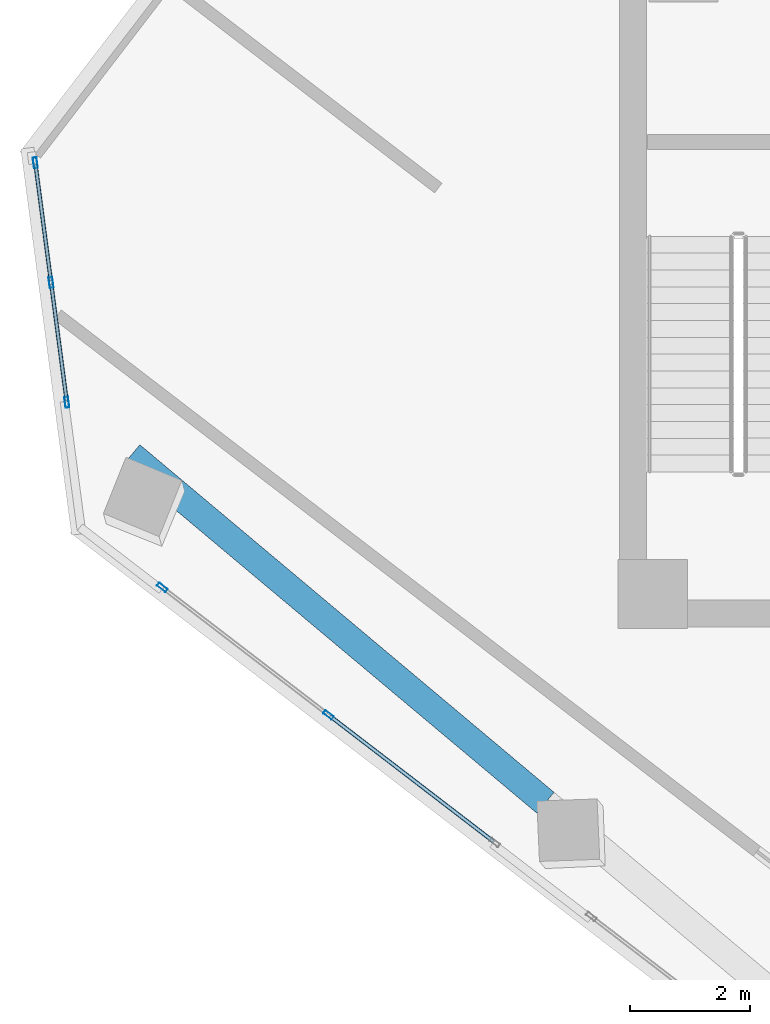
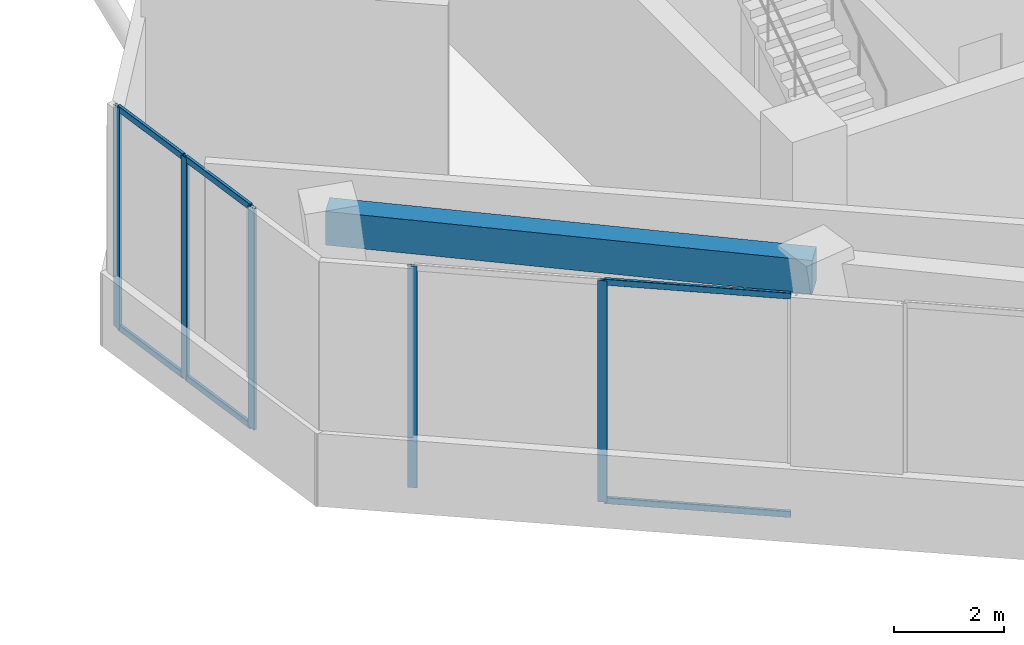
# One storey, part 5 of 22: 11 members, 1 beam, 2 elements without a shape of their own.
"""IFC4 building model written with IfcOpenShell, lengths in metres."""

import ifcopenshell
import ifcopenshell.guid

model = None  # the IFC model being written
_history = None  # IfcOwnerHistory: only IFC2X3 demands one
_inside = {}  # id of a spatial element -> (the spatial element, [elements in it])
_under = {}  # id of a project, library or spatial element -> (it, [spatial elements below it])
_declared = {}  # id of a project -> (the project, [libraries it declares])
_typed = {}  # id of a type object -> (the type object, [elements of that type])
_made_of = {}  # id of a material, layer set ... -> (it, [elements and type objects made of it])


def new_model(schema):
    """Start an empty IFC model of exactly this schema.

    Asked for "IFC4X3", IfcOpenShell would pick the latest addendum, in which some entities
    have other attributes; the version numbers below select the first issue.
    IFC2X3 requires an IfcOwnerHistory on every rooted entity: one is made here for all.
    """
    global model, _history
    if schema == "IFC4X3":
        model = ifcopenshell.file(schema_version=(4, 3, 0, 0))
    else:
        model = ifcopenshell.file(schema=schema)
    _inside.clear()
    _under.clear()
    _declared.clear()
    _typed.clear()
    _made_of.clear()
    _history = None
    if model.schema == "IFC2X3":
        org = make("IfcOrganization", Name="unknown")
        user = make(
            "IfcPersonAndOrganization",
            ThePerson=make("IfcPerson", FamilyName="unknown"),
            TheOrganization=org,
        )
        app = make(
            "IfcApplication",
            ApplicationDeveloper=org,
            Version="unknown",
            ApplicationFullName="unknown",
            ApplicationIdentifier="unknown",
        )
        _history = make(
            "IfcOwnerHistory",
            OwningUser=user,
            OwningApplication=app,
            ChangeAction="ADDED",
            CreationDate=0,
        )
    return model


def make(cls, **values):
    """One entity of the class cls with the attributes given. An attribute that is None is left unset."""
    return model.create_entity(
        cls, **{name: value for name, value in values.items() if value is not None}
    )


def rooted(cls, **values):
    """An entity with a GlobalId (a new one), such as an element, a storey or a relation."""
    return make(cls, GlobalId=ifcopenshell.guid.new(), OwnerHistory=_history, **values)


def si_unit(unit_type, name, prefix=None):
    """IfcSIUnit, for example si_unit("LENGTHUNIT", "METRE", prefix="MILLI")."""
    return make("IfcSIUnit", UnitType=unit_type, Prefix=prefix, Name=name)


def assignment(units):
    """IfcUnitAssignment: the units of a project."""
    return None if units is None else make("IfcUnitAssignment", Units=units)


def point(xyz):
    """IfcCartesianPoint."""
    return None if xyz is None else make("IfcCartesianPoint", Coordinates=xyz)


def direction(xyz):
    """IfcDirection."""
    return None if xyz is None else make("IfcDirection", DirectionRatios=xyz)


def frame(location, z_axis=None, x_axis=None):
    """IfcAxis2Placement3D, a coordinate frame: its origin and axes. An axis left out is left unset."""
    return make(
        "IfcAxis2Placement3D",
        Location=point(location),
        Axis=direction(z_axis),
        RefDirection=direction(x_axis),
    )


def frame_2d(location, x_axis=None):
    """IfcAxis2Placement2D, a coordinate frame in the plane: its origin and x axis."""
    return make(
        "IfcAxis2Placement2D", Location=point(location), RefDirection=direction(x_axis)
    )


def origin():
    """The frame at (0, 0, 0) with its axes left unset."""
    return frame((0.0, 0.0, 0.0))


def origin_2d():
    """The frame at (0, 0) in the plane with its x axis left unset."""
    return frame_2d((0.0, 0.0))


def place(relative_to, where):
    """IfcLocalPlacement: puts the frame where relative to a parent placement (None: the world)."""
    return make(
        "IfcLocalPlacement", PlacementRelTo=relative_to, RelativePlacement=where
    )


def context(
    kind, dimensions, precision=None, world=None, true_north=None, identifier=None
):
    """IfcGeometricRepresentationContext, for example the 3D "Model" context."""
    return make(
        "IfcGeometricRepresentationContext",
        ContextIdentifier=identifier,
        ContextType=kind,
        CoordinateSpaceDimension=dimensions,
        Precision=precision,
        WorldCoordinateSystem=world,
        TrueNorth=true_north,
    )


def subcontext(parent, identifier, kind, view, scale=None):
    """IfcGeometricRepresentationSubContext, for example "Body" below "Model"."""
    return make(
        "IfcGeometricRepresentationSubContext",
        ContextIdentifier=identifier,
        ContextType=kind,
        ParentContext=parent,
        TargetScale=scale,
        TargetView=view,
    )


def project(units=None, contexts=None):
    """IfcProject with its units and contexts."""
    return rooted(
        "IfcProject",
        Name="project",
        RepresentationContexts=contexts,
        UnitsInContext=assignment(units),
    )


def spatial(cls, under=None, at=None, **own):
    """A site, building, storey or space (cls), placed at a placement, below another one or the project."""
    s = rooted(cls, ObjectPlacement=at, **own)
    if under is not None:
        _under.setdefault(under.id(), (under, []))[1].append(s)
    return s


def profile(cls, at=None, kind="AREA", **sizes):
    """A parametric profile (cls). Its sizes go by their IFC names, for example OverallWidth=200.0."""
    return make(cls, ProfileType=kind, Position=at, **sizes)


def rectangle(**sizes):
    """IfcRectangleProfileDef."""
    return profile("IfcRectangleProfileDef", **sizes)


def hollow_rectangle(**sizes):
    """IfcRectangleHollowProfileDef."""
    return profile("IfcRectangleHollowProfileDef", **sizes)


def extrude(swept, where, along, depth):
    """IfcExtrudedAreaSolid: the profile swept, set in the frame where, extruded along a direction by depth."""
    return make(
        "IfcExtrudedAreaSolid",
        SweptArea=swept,
        Position=where,
        ExtrudedDirection=direction(along),
        Depth=depth,
    )


def shape(context_of_items, identifier, shape_type, items):
    """IfcShapeRepresentation: the items that make up one representation, for example the "Body"."""
    return make(
        "IfcShapeRepresentation",
        ContextOfItems=context_of_items,
        RepresentationIdentifier=identifier,
        RepresentationType=shape_type,
        Items=items,
    )


def source(mapping_origin, context_of_items, identifier, shape_type, items):
    """IfcRepresentationMap: a shape defined once, which mapped items show again and again."""
    return make(
        "IfcRepresentationMap",
        MappingOrigin=mapping_origin,
        MappedRepresentation=shape(context_of_items, identifier, shape_type, items),
    )


def transform(
    local_origin,
    x_axis=None,
    y_axis=None,
    z_axis=None,
    scale=None,
    scale2=None,
    scale3=None,
    uniform=True,
):
    """IfcCartesianTransformationOperator3D, or its non-uniform kind. x_axis, y_axis, z_axis: its Axis1, 2, 3."""
    if uniform:
        return make(
            "IfcCartesianTransformationOperator3D",
            Axis1=direction(x_axis),
            Axis2=direction(y_axis),
            LocalOrigin=point(local_origin),
            Scale=scale,
            Axis3=direction(z_axis),
        )
    return make(
        "IfcCartesianTransformationOperator3DnonUniform",
        Axis1=direction(x_axis),
        Axis2=direction(y_axis),
        LocalOrigin=point(local_origin),
        Scale=scale,
        Axis3=direction(z_axis),
        Scale2=scale2,
        Scale3=scale3,
    )


def mapped(mapping_source, mapping_target):
    """IfcMappedItem: shows the shape of a source again, moved by a transform."""
    return make(
        "IfcMappedItem", MappingSource=mapping_source, MappingTarget=mapping_target
    )


def material(Name=None, Category=None):
    """IfcMaterial."""
    return make("IfcMaterial", Name=Name, Category=Category)


def material_profile(
    of_material, cross_section, Name=None, Category=None, Priority=None
):
    """IfcMaterialProfile: a cross section and its material."""
    return make(
        "IfcMaterialProfile",
        Name=Name,
        Material=of_material,
        Profile=cross_section,
        Priority=Priority,
        Category=Category,
    )


def profile_set(profiles, Name=None, composite=None):
    """IfcMaterialProfileSet."""
    return make(
        "IfcMaterialProfileSet",
        Name=Name,
        MaterialProfiles=profiles,
        CompositeProfile=composite,
    )


def made_of(thing, what):
    """Note that an element or type object is made of a material, layer set ...; save() writes the relation."""
    if what is not None:
        _made_of.setdefault(what.id(), (what, []))[1].append(thing)
    return thing


def type_object(cls, material=None, **own):
    """A type object (cls), such as IfcWallType, which elements share."""
    return made_of(rooted(cls, **own), material)


def element(
    cls,
    number,
    at=None,
    inside=None,
    cuts=None,
    type_object=None,
    material=None,
    context=None,
    identifier="Body",
    shape_type=None,
    held_by="IfcProductDefinitionShape",
    body=None,
    shapes=None,
    **own,
):
    """One element of the class cls, such as IfcWall. Its Tag is "e" and its number.

    at: its placement. inside: the storey or other place that contains it. cuts: it is an
    opening in that element (IfcRelVoidsElement). A single representation is given by context,
    identifier, shape_type and body (its items); several are given by shapes. held_by: the class
    of the entity that holds the representations. save() writes the other relations.
    """
    e = rooted(cls, Tag="e%d" % number, ObjectPlacement=at, **own)
    if body is not None:
        shapes = [shape(context, identifier, shape_type, body)]
    if shapes is not None:
        e.Representation = make(held_by, Representations=shapes)
    if inside is not None:
        _inside.setdefault(inside.id(), (inside, []))[1].append(e)
    if cuts is not None:
        rooted(
            "IfcRelVoidsElement", RelatingBuildingElement=cuts, RelatedOpeningElement=e
        )
    if type_object is not None:
        _typed.setdefault(type_object.id(), (type_object, []))[1].append(e)
    return made_of(e, material)


def aggregate(whole, parts):
    """IfcRelAggregates: a whole, such as a stair, and the parts it consists of."""
    return rooted("IfcRelAggregates", RelatingObject=whole, RelatedObjects=parts)


def save(model, path):
    """Write the relations noted so far, then the file.

    IfcRelAggregates (storeys below a building ...), IfcRelContainedInSpatialStructure (elements
    in a storey), IfcRelDefinesByType, IfcRelAssociatesMaterial and IfcRelDeclares: one each for
    every whole, place, type object, material and project.
    """
    for whole, parts in _under.values():
        aggregate(whole, parts)
    for where, things in _inside.values():
        rooted(
            "IfcRelContainedInSpatialStructure",
            RelatedElements=things,
            RelatingStructure=where,
        )
    for kind, things in _typed.values():
        rooted("IfcRelDefinesByType", RelatedObjects=things, RelatingType=kind)
    for what, things in _made_of.values():
        rooted("IfcRelAssociatesMaterial", RelatedObjects=things, RelatingMaterial=what)
    for by, libraries in _declared.values():
        rooted("IfcRelDeclares", RelatingContext=by, RelatedDefinitions=libraries)
    model.write(path)


model = new_model("IFC4")

# Units and contexts
model_context = context("Model", 3, precision=1e-05, world=origin(), true_north=direction((0.0, 1.0)))
body_context = subcontext(model_context, "Body", "Model", "MODEL_VIEW")
ifc_project = project(units=[si_unit("LENGTHUNIT", "METRE"), si_unit("AREAUNIT", "SQUARE_METRE"), si_unit("VOLUMEUNIT", "CUBIC_METRE"), si_unit("PLANEANGLEUNIT", "RADIAN"), si_unit("MASSUNIT", "GRAM", prefix="KILO")], contexts=[model_context])

# Site, building, storey
site_placement = place(None, origin())
site = spatial("IfcSite", under=ifc_project, at=site_placement, CompositionType="ELEMENT")
building_placement = place(site_placement, origin())
building = spatial("IfcBuilding", under=site, at=building_placement, Name="Torre Montelarca", CompositionType="ELEMENT")
storey_placement = place(building_placement, frame((0.0, 0.0, 209.800048828125)))
storey = spatial("IfcBuildingStorey", under=building, at=storey_placement, Name="L47", CompositionType="ELEMENT", Elevation=209.800048828125)

# Beam
ifc_material_1 = material(Name="Concrete C55/67", Category="concrete")
ifc_material_profile_1 = material_profile(ifc_material_1, rectangle(XDim=0.449951171875, YDim=0.75, at=origin_2d()), Name="RCB450X750", Category="concrete")
ifc_profile_set_1 = profile_set([ifc_material_profile_1], Name="Concrete C55/67")
beam_type = type_object("IfcBeamType", Name="BM-SP-RC750-EXT", PredefinedType="SPANDREL", material=ifc_profile_set_1)
shared_shape_1 = source(origin(), body_context, "Body", "SweptSolid", [
    extrude(rectangle(XDim=0.449951171875, YDim=0.75, at=origin_2d()), origin(), (0.0, 0.0, 1.0), 9.000244140625),
])
beam_placement = place(storey_placement, frame((0.868408203125, 26.85888671875, 4.744873046875), z_axis=(0.766046761698, -0.642784846501, 0.0), x_axis=(0.642784846501, 0.766046761698, 0.0)))
element("IfcBeam", 1, at=beam_placement, inside=storey, type_object=beam_type, Name="L47 Grid Girder X 9.0-18.0 at Y=14.8", PredefinedType="SPANDREL", context=body_context, shape_type="MappedRepresentation", body=[
    mapped(shared_shape_1, transform((0.0, 0.0, 0.0), scale=1.0)),
])

# Curtain wall, members
ifc_material_2 = material(Name="Insulated low-E laminated glass", Category="glass")
curtain_wall_type = type_object("IfcCurtainWallType", Name="CW-SYS-Z2", PredefinedType="USERDEFINED", material=ifc_material_2)
curtain_wall_1_placement = place(storey_placement, origin())
curtain_wall_1 = element("IfcCurtainWall", 2, at=curtain_wall_1_placement, inside=storey, type_object=curtain_wall_type, Name="L47 Curtain Wall Run CW-T3-L47-E01-B1", ObjectType="UNITISED GLAZING", PredefinedType="USERDEFINED")
ifc_material_3 = material(Name="Anodised aluminium AA 6063-T6", Category="aluminium")
ifc_material_profile_2 = material_profile(ifc_material_3, hollow_rectangle(XDim=0.06494140625, YDim=0.179931640625, WallThickness=0.00390625, InnerFilletRadius=0.00390625, OuterFilletRadius=0.008056640625, at=origin_2d()), Name="ALU65X180X4", Category="aluminium")
ifc_profile_set_2 = profile_set([ifc_material_profile_2], Name="Anodised aluminium AA 6063-T6")
member_type_1 = type_object("IfcMemberType", Name="CWM-ALU180", PredefinedType="MULLION", material=ifc_profile_set_2)
shared_shape_2 = source(origin(), body_context, "Body", "SweptSolid", [
    extrude(hollow_rectangle(XDim=0.06494140625, YDim=0.179931640625, WallThickness=0.00390625, InnerFilletRadius=0.00390625, OuterFilletRadius=0.008056640625, at=origin_2d()), origin(), (0.0, 0.0, 1.0), 4.919921875),
])
member_1_placement = place(storey_placement, frame((1.385986328125, 24.6572265625, 0.0), z_axis=(0.0, 0.0, 1.0), x_axis=(0.608763691545, 0.793351604181, 0.0)))
member_1 = element("IfcMember", 3, at=member_1_placement, type_object=member_type_1, Name="CW mullion 1", PredefinedType="MULLION", context=body_context, shape_type="MappedRepresentation", body=[
    mapped(shared_shape_2, transform((0.0, 0.0, 0.0), scale=1.0)),
])
member_2_placement = place(storey_placement, frame((4.15283203125, 22.5341796875, 0.0), z_axis=(0.0, 0.0, 1.0), x_axis=(0.608763691545, 0.793351604181, 0.0)))
member_2 = element("IfcMember", 4, at=member_2_placement, type_object=member_type_1, Name="CW mullion 2", PredefinedType="MULLION", context=body_context, shape_type="MappedRepresentation", body=[
    mapped(shared_shape_2, transform((0.0, 0.0, 0.0), scale=1.0)),
])

curtain_wall_2_placement = place(storey_placement, origin())
curtain_wall_2 = element("IfcCurtainWall", 5, at=curtain_wall_2_placement, inside=storey, type_object=curtain_wall_type, Name="L47 Curtain Wall Run CW-T3-L47-E11-B1", ObjectType="UNITISED GLAZING", PredefinedType="USERDEFINED")
member_3_placement = place(storey_placement, frame((-0.7275390625, 31.7265625, 0.0), z_axis=(0.0, 0.0, 1.0), x_axis=(0.991445798324, 0.130519075177, 0.0)))
member_3 = element("IfcMember", 6, at=member_3_placement, type_object=member_type_1, Name="CW mullion 1", PredefinedType="MULLION", context=body_context, shape_type="MappedRepresentation", body=[
    mapped(shared_shape_2, transform((0.0, 0.0, 0.0), scale=1.0)),
])
member_4_placement = place(storey_placement, frame((-0.465087890625, 29.73291015625, 0.0), z_axis=(0.0, 0.0, 1.0), x_axis=(0.991445798324, 0.130519075177, 0.0)))
member_4 = element("IfcMember", 7, at=member_4_placement, type_object=member_type_1, Name="CW mullion 2", PredefinedType="MULLION", context=body_context, shape_type="MappedRepresentation", body=[
    mapped(shared_shape_2, transform((0.0, 0.0, 0.0), scale=1.0)),
])
member_5_placement = place(storey_placement, frame((-0.20263671875, 27.739013671875, 0.0), z_axis=(0.0, 0.0, 1.0), x_axis=(0.991445798324, 0.130519075177, 0.0)))
member_5 = element("IfcMember", 8, at=member_5_placement, type_object=member_type_1, Name="CW mullion 3", PredefinedType="MULLION", context=body_context, shape_type="MappedRepresentation", body=[
    mapped(shared_shape_2, transform((0.0, 0.0, 0.0), scale=1.0)),
])

# Member
ifc_material_profile_3 = material_profile(ifc_material_3, hollow_rectangle(XDim=0.06494140625, YDim=0.139892578125, WallThickness=0.00390625, InnerFilletRadius=0.00390625, OuterFilletRadius=0.008056640625, at=origin_2d()), Name="ALU65X140X4", Category="aluminium")
ifc_profile_set_3 = profile_set([ifc_material_profile_3], Name="Anodised aluminium AA 6063-T6")
member_type_2 = type_object("IfcMemberType", Name="CWT-ALU140", PredefinedType="USERDEFINED", material=ifc_profile_set_3)
shared_shape_3 = source(origin(), body_context, "Body", "SweptSolid", [
    extrude(hollow_rectangle(XDim=0.06494140625, YDim=0.139892578125, WallThickness=0.00390625, InnerFilletRadius=0.00390625, OuterFilletRadius=0.008056640625, at=origin_2d()), origin(), (0.0, 0.0, 1.0), 3.422607421875),
])
member_6_placement = place(storey_placement, frame((4.1787109375, 22.514404296875, 0.032470703125), z_axis=(0.793360601133, -0.608751966379, 0.0), x_axis=(0.608751966379, 0.793360601133, 0.0)))
member_6 = element("IfcMember", 9, at=member_6_placement, type_object=member_type_2, Name="CW transom 2.1", ObjectType="TRANSOM", PredefinedType="USERDEFINED", context=body_context, shape_type="MappedRepresentation", body=[
    mapped(shared_shape_3, transform((0.0, 0.0, 0.0), scale=1.0)),
])

member_7_placement = place(storey_placement, frame((4.1787109375, 22.514404296875, 4.887451171875), z_axis=(0.793360601133, -0.608751966379, 0.0), x_axis=(0.608751966379, 0.793360601133, 0.0)))
member_7 = element("IfcMember", 10, at=member_7_placement, type_object=member_type_2, Name="CW transom 2.2", ObjectType="TRANSOM", PredefinedType="USERDEFINED", context=body_context, shape_type="MappedRepresentation", body=[
    mapped(shared_shape_3, transform((0.0, 0.0, 0.0), scale=1.0)),
])

aggregate(curtain_wall_1, [member_1, member_2, member_6, member_7])

shared_shape_4 = source(origin(), body_context, "Body", "SweptSolid", [
    extrude(hollow_rectangle(XDim=0.06494140625, YDim=0.139892578125, WallThickness=0.00390625, InnerFilletRadius=0.00390625, OuterFilletRadius=0.008056640625, at=origin_2d()), origin(), (0.0, 0.0, 1.0), 1.946044921875),
])
member_8_placement = place(storey_placement, frame((-0.4609375, 29.70068359375, 0.032470703125), z_axis=(0.130594052631, -0.991435925019, 0.0), x_axis=(0.991435925019, 0.130594052631, 0.0)))
member_8 = element("IfcMember", 11, at=member_8_placement, type_object=member_type_2, Name="CW transom 2.1", ObjectType="TRANSOM", PredefinedType="USERDEFINED", context=body_context, shape_type="MappedRepresentation", body=[
    mapped(shared_shape_4, transform((0.0, 0.0, 0.0), scale=1.0)),
])

member_9_placement = place(storey_placement, frame((-0.4609375, 29.70068359375, 4.887451171875), z_axis=(0.130594052631, -0.991435925019, 0.0), x_axis=(0.991435925019, 0.130594052631, 0.0)))
member_9 = element("IfcMember", 12, at=member_9_placement, type_object=member_type_2, Name="CW transom 2.2", ObjectType="TRANSOM", PredefinedType="USERDEFINED", context=body_context, shape_type="MappedRepresentation", body=[
    mapped(shared_shape_4, transform((0.0, 0.0, 0.0), scale=1.0)),
])

shared_shape_5 = source(origin(), body_context, "Body", "SweptSolid", [
    extrude(hollow_rectangle(XDim=0.06494140625, YDim=0.139892578125, WallThickness=0.00390625, InnerFilletRadius=0.00390625, OuterFilletRadius=0.008056640625, at=origin_2d()), origin(), (0.0, 0.0, 1.0), 1.94580078125),
])
member_10_placement = place(storey_placement, frame((-0.723388671875, 31.6943359375, 0.032470703125), z_axis=(0.130610297428, -0.991433785084, 0.0), x_axis=(0.991433785084, 0.130610297428, 0.0)))
member_10 = element("IfcMember", 13, at=member_10_placement, type_object=member_type_2, Name="CW transom 1.1", ObjectType="TRANSOM", PredefinedType="USERDEFINED", context=body_context, shape_type="MappedRepresentation", body=[
    mapped(shared_shape_5, transform((0.0, 0.0, 0.0), scale=1.0)),
])

member_11_placement = place(storey_placement, frame((-0.723388671875, 31.6943359375, 4.887451171875), z_axis=(0.130610297428, -0.991433785084, 0.0), x_axis=(0.991433785084, 0.130610297428, 0.0)))
member_11 = element("IfcMember", 14, at=member_11_placement, type_object=member_type_2, Name="CW transom 1.2", ObjectType="TRANSOM", PredefinedType="USERDEFINED", context=body_context, shape_type="MappedRepresentation", body=[
    mapped(shared_shape_5, transform((0.0, 0.0, 0.0), scale=1.0)),
])

aggregate(curtain_wall_2, [member_3, member_4, member_5, member_10, member_11, member_8, member_9])

save(model, "model.ifc")
